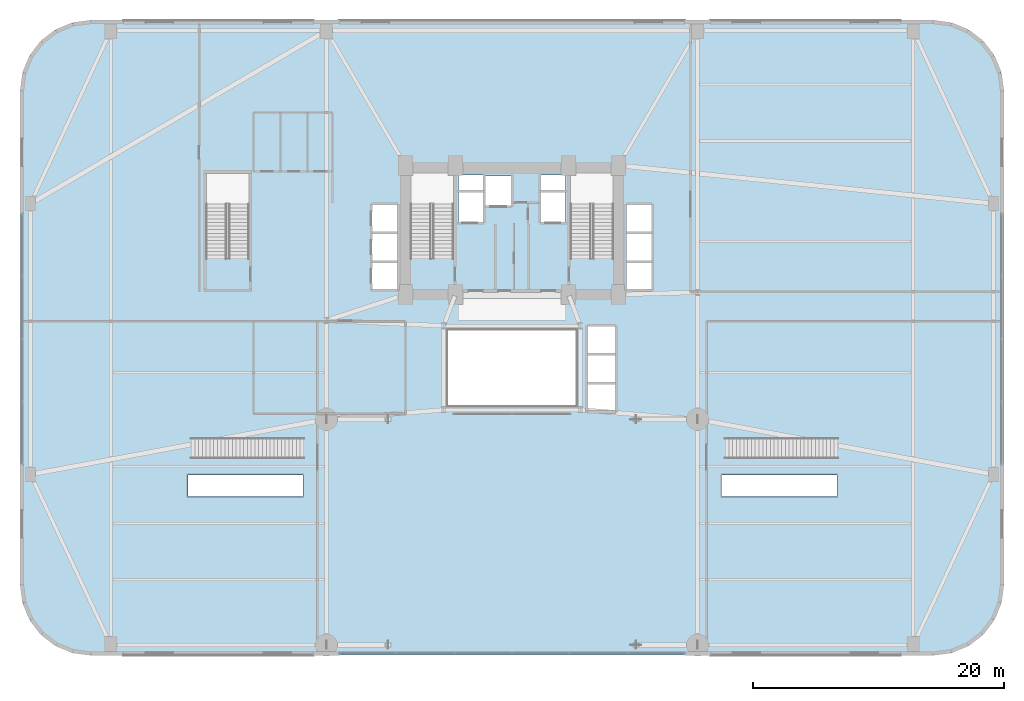
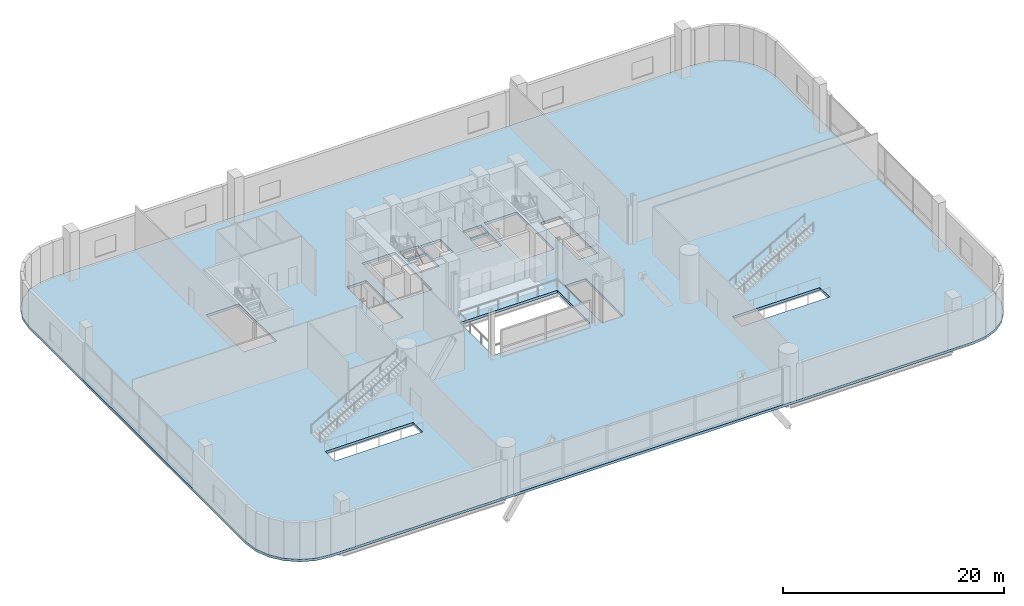
# One storey, part 26 of 40: 1 slab.
"""IFC4 building model written with IfcOpenShell, lengths in metres."""

from ifc_helpers import new_model, si_unit, direction, frame, origin, place, context, subcontext, project, spatial, polyline, outline, extrude, material, layer, layer_set, type_object, element, save


model = new_model("IFC4")

# Units and contexts
model_context = context("Model", 3, precision=1e-05, world=origin(), true_north=direction((0.0, 1.0)))
body_context = subcontext(model_context, "Body", "Model", "MODEL_VIEW")
ifc_project = project(units=[si_unit("LENGTHUNIT", "METRE"), si_unit("AREAUNIT", "SQUARE_METRE"), si_unit("VOLUMEUNIT", "CUBIC_METRE"), si_unit("PLANEANGLEUNIT", "RADIAN"), si_unit("MASSUNIT", "GRAM", prefix="KILO")], contexts=[model_context])

# Site, building, storey
site_placement = place(None, origin())
site = spatial("IfcSite", under=ifc_project, at=site_placement, CompositionType="ELEMENT")
building_placement = place(site_placement, origin())
building = spatial("IfcBuilding", under=site, at=building_placement, Name="Varnelok Gate Tower", CompositionType="ELEMENT")
storey_placement = place(building_placement, frame((0.0, 0.0, 5.39990234375)))
storey = spatial("IfcBuildingStorey", under=building, at=storey_placement, Name="L01", CompositionType="ELEMENT", Elevation=5.39990234375)

# Slab
ifc_material = material(Name="Concrete C50/60", Category="concrete")
ifc_layer = layer(ifc_material, 0.280029296875)
ifc_layer_set = layer_set([ifc_layer], Name="Concrete C50/60")
slab_type = type_object("IfcSlabType", Name="SLB-POD-280", PredefinedType="FLOOR", material=ifc_layer_set)
slab_placement = place(storey_placement, frame((0.0, 0.0, -0.27978515625)))
element("IfcSlab", 1, at=slab_placement, inside=storey, type_object=slab_type, Name="L01 Structural Floor Slab", PredefinedType="FLOOR", context=body_context, shape_type="SweptSolid", body=[
    extrude(outline(polyline([(0.0, 5.60009765625), (0.19091796875, 4.150634765625), (0.750244140625, 2.800048828125), (1.64013671875, 1.64013671875), (2.800048828125, 0.750244140625), (4.150634765625, 0.19091796875), (5.60009765625, 0.0), (72.800048828125, 0.0), (74.24951171875, 0.19091796875), (75.60009765625, 0.750244140625), (76.759765625, 1.64013671875), (77.649658203125, 2.800048828125), (78.209228515625, 4.150634765625), (78.39990234375, 5.60009765625), (78.39990234375, 45.0), (78.209228515625, 46.449462890625), (77.649658203125, 47.800048828125), (76.759765625, 48.959716796875), (75.60009765625, 49.849609375), (74.24951171875, 50.4091796875), (72.800048828125, 50.60009765625), (5.60009765625, 50.60009765625), (4.150634765625, 50.4091796875), (2.800048828125, 49.849609375), (1.64013671875, 48.959716796875), (0.750244140625, 47.800048828125), (0.19091796875, 46.449462890625), (0.0, 45.0), (0.0, 5.60009765625)]), holes=[polyline([(34.550048828125, 31.679931640625), (34.550048828125, 38.449951171875), (31.10009765625, 38.449951171875), (31.10009765625, 31.679931640625), (34.550048828125, 31.679931640625)]), polyline([(47.300048828125, 31.679931640625), (47.300048828125, 38.449951171875), (43.85009765625, 38.449951171875), (43.85009765625, 31.679931640625), (47.300048828125, 31.679931640625)]), polyline([(18.25, 31.679931640625), (18.25, 38.449951171875), (14.800048828125, 38.449951171875), (14.800048828125, 31.679931640625), (18.25, 31.679931640625)]), polyline([(13.35009765625, 12.635009765625), (22.52001953125, 12.635009765625), (22.52001953125, 14.364990234375), (13.35009765625, 14.364990234375), (13.35009765625, 12.635009765625)]), polyline([(55.949951171875, 12.635009765625), (65.1201171875, 12.635009765625), (65.1201171875, 14.364990234375), (55.949951171875, 14.364990234375), (55.949951171875, 12.635009765625)]), polyline([(34.949951171875, 34.550048828125), (36.89990234375, 34.550048828125), (36.89990234375, 36.89990234375), (34.949951171875, 36.89990234375), (34.949951171875, 34.550048828125)]), polyline([(41.5, 34.550048828125), (43.449951171875, 34.550048828125), (43.449951171875, 36.89990234375), (41.5, 36.89990234375), (41.5, 34.550048828125)]), polyline([(37.050048828125, 35.85009765625), (39.14990234375, 35.85009765625), (39.14990234375, 38.199951171875), (37.050048828125, 38.199951171875), (37.050048828125, 35.85009765625)]), polyline([(28.050048828125, 29.14990234375), (30.050048828125, 29.14990234375), (30.050048828125, 35.89990234375), (28.050048828125, 35.89990234375), (28.050048828125, 29.14990234375)]), polyline([(48.35009765625, 29.14990234375), (50.35009765625, 29.14990234375), (50.35009765625, 35.89990234375), (48.35009765625, 35.89990234375), (48.35009765625, 29.14990234375)]), polyline([(45.25, 19.449951171875), (47.449951171875, 19.449951171875), (47.449951171875, 26.199951171875), (45.25, 26.199951171875), (45.25, 19.449951171875)]), polyline([(34.919921875, 37.080078125), (36.89990234375, 37.080078125), (36.89990234375, 38.280029296875), (34.919921875, 38.280029296875), (34.919921875, 37.080078125)]), polyline([(41.5, 37.080078125), (43.47998046875, 37.080078125), (43.47998046875, 38.280029296875), (41.5, 38.280029296875), (41.5, 37.080078125)]), polyline([(34.10009765625, 19.89990234375), (44.300048828125, 19.89990234375), (44.300048828125, 25.89990234375), (34.10009765625, 25.89990234375), (34.10009765625, 19.89990234375)])]), origin(), (0.0, 0.0, 1.0), 0.27978515625),
])

save(model, "model.ifc")
